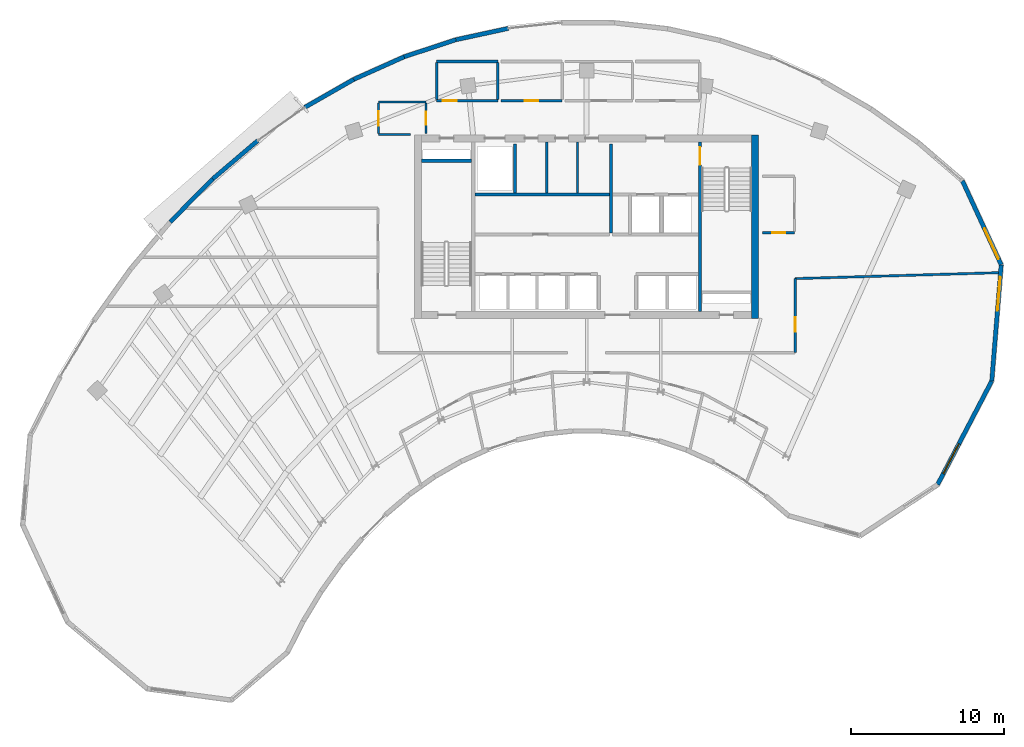
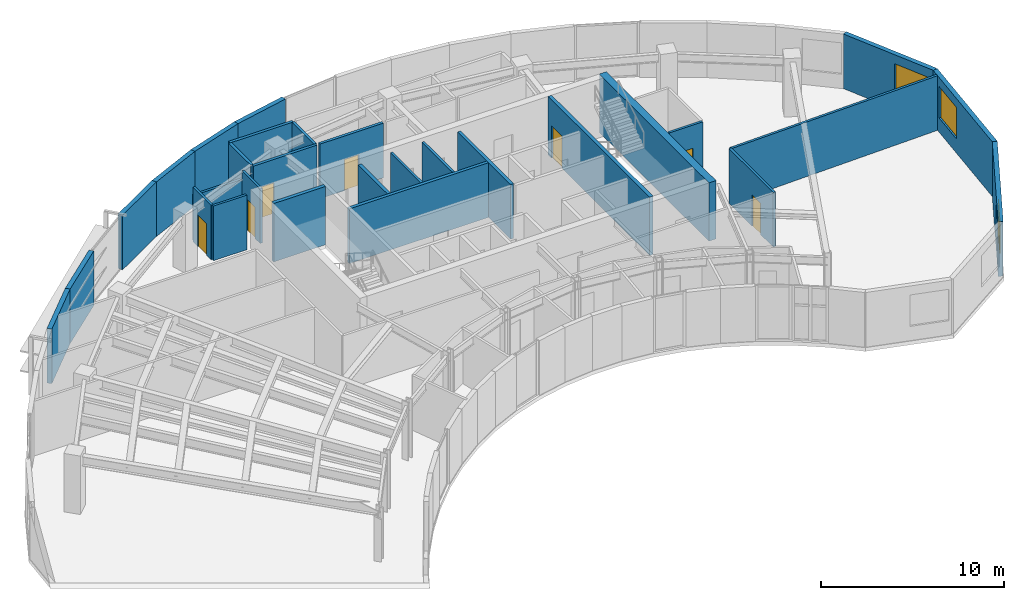
# One storey, part 9 of 12: 29 walls, 7 doors, 3 windows, 10 openings.
"""IFC4 building model written with IfcOpenShell, lengths in metres."""

from ifc_helpers import new_model, si_unit, direction, frame, frame_2d, origin, place, context, subcontext, project, spatial, rectangle, extrude, source, transform, mapped, material, layer, layer_set, type_object, type_shapes, element, fill, save


model = new_model("IFC4")

# Units and contexts
model_context = context("Model", 3, precision=1e-05, world=origin(), true_north=direction((0.0, 1.0)))
body_context = subcontext(model_context, "Body", "Model", "MODEL_VIEW")
ifc_project = project(units=[si_unit("LENGTHUNIT", "METRE"), si_unit("AREAUNIT", "SQUARE_METRE"), si_unit("VOLUMEUNIT", "CUBIC_METRE"), si_unit("PLANEANGLEUNIT", "RADIAN"), si_unit("MASSUNIT", "GRAM", prefix="KILO")], contexts=[model_context])

# Site, building, storey
site_placement = place(None, origin())
site = spatial("IfcSite", under=ifc_project, at=site_placement, CompositionType="ELEMENT")
building_placement = place(site_placement, origin())
building = spatial("IfcBuilding", under=site, at=building_placement, Name="Breltana Convention Tower", CompositionType="ELEMENT")
storey_placement = place(building_placement, frame((0.0, 0.0, 243.0)))
storey = spatial("IfcBuildingStorey", under=building, at=storey_placement, Name="L59", CompositionType="ELEMENT", Elevation=243.0)

# Walls
ifc_material_1 = material(Name="Concrete C50/60", Category="concrete")
ifc_layer_1 = layer(ifc_material_1, 0.39990234375, Name="Concrete C50/60")
ifc_layer_set_1 = layer_set([ifc_layer_1], Name="Concrete C50/60")
wall_type_1 = type_object("IfcWallType", Name="SW-CORE-400", PredefinedType="SHEAR", material=ifc_layer_set_1)
shared_shape_1 = source(origin(), body_context, "Body", "SweptSolid", [
    extrude(rectangle(XDim=3.27001953125, YDim=0.219970703125, at=frame_2d((1.635009765625, 0.0))), origin(), (0.0, 0.0, 1.0), 3.89990234375),
])
wall_1_placement = place(storey_placement, frame((37.199951171875, 70.510009765625, 0.0), z_axis=(0.0, 0.0, 1.0), x_axis=(1.0, 0.0, 0.0)))
element("IfcWall", 1, at=wall_1_placement, inside=storey, type_object=wall_type_1, Name="L59 ST-1 Stairwell North Bearing Wall", PredefinedType="SHEAR", context=body_context, shape_type="MappedRepresentation", body=[
    mapped(shared_shape_1, transform((0.0, 0.0, 0.0), scale=1.0)),
])
ifc_material_2 = material(Name="Concrete C60/75", Category="concrete")
ifc_layer_2 = layer(ifc_material_2, 0.449951171875, Name="Concrete C60/75")
ifc_layer_set_2 = layer_set([ifc_layer_2], Name="Concrete C60/75")
wall_type_2 = type_object("IfcWallType", Name="SW-CORE-450", PredefinedType="SHEAR", material=ifc_layer_set_2)
shared_shape_2 = source(origin(), body_context, "Body", "SweptSolid", [
    extrude(rectangle(XDim=12.0, YDim=0.449951171875, at=frame_2d((6.0, 0.0))), origin(), (0.0, 0.0, 1.0), 3.89990234375),
])
wall_2_placement = place(storey_placement, frame((59.02490234375, 60.199951171875, 0.0), z_axis=(0.0, 0.0, 1.0), x_axis=(0.0, 1.0, 0.0)))
element("IfcWall", 2, at=wall_2_placement, inside=storey, type_object=wall_type_2, Name="L59 East Core Shear Wall", PredefinedType="SHEAR", context=body_context, shape_type="MappedRepresentation", body=[
    mapped(shared_shape_2, transform((0.0, 0.0, 0.0), scale=1.0)),
])

# Wall, opening, door
shared_shape_3 = source(origin(), body_context, "Body", "SweptSolid", [
    extrude(rectangle(XDim=11.10009765625, YDim=0.219970703125, at=frame_2d((5.550048828125, 0.0))), origin(), (0.0, 0.0, 1.0), 3.89990234375),
])
wall_3_placement = place(storey_placement, frame((55.419921875, 60.64990234375, 0.0), z_axis=(0.0, 0.0, 1.0), x_axis=(0.0, 1.0, 0.0)))
wall_3 = element("IfcWall", 3, at=wall_3_placement, inside=storey, type_object=wall_type_1, Name="L59 Core East Stair Spine Wall", PredefinedType="SHEAR", context=body_context, shape_type="MappedRepresentation", body=[
    mapped(shared_shape_3, transform((0.0, 0.0, 0.0), scale=1.0)),
])
opening_1_placement = place(wall_3_placement, frame((9.594970703125, 0.0, 0.0)))
opening_1 = element("IfcOpeningElement", 4, at=opening_1_placement, cuts=wall_3, Name="Opening D-11", PredefinedType="OPENING", context=body_context, shape_type="SweptSolid", body=[
    extrude(rectangle(XDim=1.14990234375, YDim=2.14990234375, at=frame_2d((0.574951171875, 1.074951171875))), frame((0.0, 0.1201171875, 0.0), z_axis=(0.0, -1.0, 0.0), x_axis=(1.0, 0.0, 0.0)), (0.0, 0.0, 1.0), 0.239990234375),
])
ifc_material_3 = material(Name="Steel Stair Exit Door", Category="steel")
door_type_1 = type_object("IfcDoorType", Name="DR-FD120-1150", OperationType="NOTDEFINED", PredefinedType="DOOR", material=ifc_material_3)
shared_shape_4 = source(origin(), body_context, "Body", "SweptSolid", [
    extrude(rectangle(XDim=1.14990234375, YDim=2.14990234375, at=frame_2d((0.574951171875, 1.074951171875))), frame((0.0, 0.02490234375, 0.0), z_axis=(0.0, -1.0, 0.0), x_axis=(1.0, 0.0, 0.0)), (0.0, 0.0, 1.0), 0.050048828125),
])
type_shapes(door_type_1, [shared_shape_4])
door_1_placement = place(opening_1_placement, origin())
door_1 = element("IfcDoor", 5, at=door_1_placement, inside=storey, type_object=door_type_1, Name="L59 interior door D-L59-ST2", OperationType="SINGLE_SWING_LEFT", OverallHeight=2.14990234375, OverallWidth=1.14990234375, PredefinedType="DOOR", context=body_context, shape_type="MappedRepresentation", body=[
    mapped(shared_shape_4, transform((0.0, 0.0, 0.0), scale=1.0)),
])
fill(opening_1, door_1)

# Wall, opening, window
ifc_material_4 = material(Name="Limestone Buff Insulated Wall", Category="masonry")
ifc_layer_3 = layer(ifc_material_4, 0.280029296875, Name="Limestone Buff Insulated Wall")
ifc_layer_set_3 = layer_set([ifc_layer_3], Name="Limestone Buff Insulated Wall")
wall_type_3 = type_object("IfcWallType", Name="WL-EXT-NOSE-280", PredefinedType="SOLIDWALL", material=ifc_layer_set_3)
shared_shape_5 = source(origin(), body_context, "Body", "SweptSolid", [
    extrude(rectangle(XDim=6.049560546875, YDim=0.280029296875, at=frame_2d((3.02490234375, 0.0))), origin(), (0.0, 0.0, 1.0), 3.64990234375),
])
wall_4_placement = place(storey_placement, frame((72.57421875, 69.1982421875, 0.0), z_axis=(0.0, 0.0, 1.0), x_axis=(0.41942922905, -0.907788037935, 0.0)))
wall_4 = element("IfcWall", 6, at=wall_4_placement, inside=storey, type_object=wall_type_3, Name="L59 curved limestone nose wall E1", PredefinedType="SOLIDWALL", context=body_context, shape_type="MappedRepresentation", body=[
    mapped(shared_shape_5, transform((0.0, 0.0, 0.0), scale=1.0)),
])
opening_2_placement = place(wall_4_placement, frame((3.437255859375, 0.0, 0.949951171875)))
opening_2 = element("IfcOpeningElement", 7, at=opening_2_placement, cuts=wall_4, Name="Opening W-03", PredefinedType="OPENING", context=body_context, shape_type="SweptSolid", body=[
    extrude(rectangle(XDim=2.199951171875, YDim=2.10009765625, at=frame_2d((1.10009765625, 1.050048828125))), frame((0.0, 0.14990234375, 0.0), z_axis=(0.0, -1.0, 0.0), x_axis=(1.0, 0.0, 0.0)), (0.0, 0.0, 1.0), 0.300048828125),
])
ifc_material_5 = material(Name="Glass Low-E Insulated Window", Category="glass")
window_type = type_object("IfcWindowType", Name="WN-NOSE-2200X2100", PartitioningType="TRIPLE_PANEL_VERTICAL", PredefinedType="WINDOW", material=ifc_material_5)
shared_shape_6 = source(origin(), body_context, "Body", "SweptSolid", [
    extrude(rectangle(XDim=2.199951171875, YDim=2.10009765625, at=frame_2d((1.10009765625, 1.050048828125))), frame((0.0, 0.030029296875, 0.0), z_axis=(0.0, -1.0, 0.0), x_axis=(1.0, 0.0, 0.0)), (0.0, 0.0, 1.0), 0.06005859375),
])
type_shapes(window_type, [shared_shape_6])
window_1_placement = place(opening_2_placement, origin())
window_1 = element("IfcWindow", 8, at=window_1_placement, inside=storey, type_object=window_type, Name="L59 nose window E1", OverallHeight=2.10009765625, OverallWidth=2.199951171875, PartitioningType="TRIPLE_PANEL_VERTICAL", PredefinedType="WINDOW", context=body_context, shape_type="MappedRepresentation", body=[
    mapped(shared_shape_6, transform((0.0, 0.0, 0.0), scale=1.0)),
])
fill(opening_2, window_1)

shared_shape_7 = source(origin(), body_context, "Body", "SweptSolid", [
    extrude(rectangle(XDim=7.618408203125, YDim=0.280029296875, at=frame_2d((3.80908203125, 0.0))), origin(), (0.0, 0.0, 1.0), 3.64990234375),
])
wall_5_placement = place(storey_placement, frame((75.111572265625, 63.70654296875, 0.0), z_axis=(0.0, 0.0, 1.0), x_axis=(-0.080820171031, -0.996728699273, 0.0)))
wall_5 = element("IfcWall", 9, at=wall_5_placement, inside=storey, type_object=wall_type_3, Name="L59 curved limestone nose wall E2", PredefinedType="SOLIDWALL", context=body_context, shape_type="MappedRepresentation", body=[
    mapped(shared_shape_7, transform((0.0, 0.0, 0.0), scale=1.0)),
])
opening_3_placement = place(wall_5_placement, frame((0.8046875, 0.0, 0.949951171875)))
opening_3 = element("IfcOpeningElement", 10, at=opening_3_placement, cuts=wall_5, Name="Opening W-03", PredefinedType="OPENING", context=body_context, shape_type="SweptSolid", body=[
    extrude(rectangle(XDim=2.199951171875, YDim=2.10009765625, at=frame_2d((1.10009765625, 1.050048828125))), frame((0.0, 0.14990234375, 0.0), z_axis=(0.0, -1.0, 0.0), x_axis=(1.0, 0.0, 0.0)), (0.0, 0.0, 1.0), 0.300048828125),
])
window_2_placement = place(opening_3_placement, origin())
window_2 = element("IfcWindow", 11, at=window_2_placement, inside=storey, type_object=window_type, Name="L59 nose window E2", OverallHeight=2.10009765625, OverallWidth=2.199951171875, PartitioningType="TRIPLE_PANEL_VERTICAL", PredefinedType="WINDOW", context=body_context, shape_type="MappedRepresentation", body=[
    mapped(shared_shape_6, transform((0.0, 0.0, 0.0), scale=1.0)),
])
fill(opening_3, window_2)

shared_shape_8 = source(origin(), body_context, "Body", "SweptSolid", [
    extrude(rectangle(XDim=7.647705078125, YDim=0.280029296875, at=frame_2d((3.82373046875, 0.0))), origin(), (0.0, 0.0, 1.0), 3.64990234375),
])
wall_6_placement = place(storey_placement, frame((74.495849609375, 56.113037109375, 0.0), z_axis=(0.0, 0.0, 1.0), x_axis=(-0.463116873665, -0.886297219519, 0.0)))
wall_6 = element("IfcWall", 12, at=wall_6_placement, inside=storey, type_object=wall_type_3, Name="L59 curved limestone nose wall E3", PredefinedType="SOLIDWALL", context=body_context, shape_type="MappedRepresentation", body=[
    mapped(shared_shape_8, transform((0.0, 0.0, 0.0), scale=1.0)),
])
opening_4_placement = place(wall_6_placement, frame((4.6357421875, 0.0, 0.949951171875)))
opening_4 = element("IfcOpeningElement", 13, at=opening_4_placement, cuts=wall_6, Name="Opening W-03", PredefinedType="OPENING", context=body_context, shape_type="SweptSolid", body=[
    extrude(rectangle(XDim=2.199951171875, YDim=2.10009765625, at=frame_2d((1.10009765625, 1.050048828125))), frame((0.0, 0.14990234375, 0.0), z_axis=(0.0, -1.0, 0.0), x_axis=(1.0, 0.0, 0.0)), (0.0, 0.0, 1.0), 0.300048828125),
])
window_3_placement = place(opening_4_placement, origin())
window_3 = element("IfcWindow", 14, at=window_3_placement, inside=storey, type_object=window_type, Name="L59 nose window E3", OverallHeight=2.10009765625, OverallWidth=2.199951171875, PartitioningType="TRIPLE_PANEL_VERTICAL", PredefinedType="WINDOW", context=body_context, shape_type="MappedRepresentation", body=[
    mapped(shared_shape_6, transform((0.0, 0.0, 0.0), scale=1.0)),
])
fill(opening_4, window_3)

# Walls
shared_shape_9 = source(origin(), body_context, "Body", "SweptSolid", [
    extrude(rectangle(XDim=3.955078125, YDim=0.280029296875, at=frame_2d((1.9775390625, 0.0))), origin(), (0.0, 0.0, 1.0), 3.64990234375),
])
wall_7_placement = place(storey_placement, frame((20.7763671875, 66.50732421875, 0.0), z_axis=(0.0, 0.0, 1.0), x_axis=(0.702710517474, 0.711475880569, 0.0)))
element("IfcWall", 15, at=wall_7_placement, inside=storey, type_object=wall_type_3, Name="L59 curved limestone nose wall E22", PredefinedType="SOLIDWALL", context=body_context, shape_type="MappedRepresentation", body=[
    mapped(shared_shape_9, transform((0.0, 0.0, 0.0), scale=1.0)),
])
shared_shape_10 = source(origin(), body_context, "Body", "SweptSolid", [
    extrude(rectangle(XDim=3.8603515625, YDim=0.280029296875, at=frame_2d((1.93017578125, 0.0))), origin(), (0.0, 0.0, 1.0), 3.64990234375),
])
wall_8_placement = place(storey_placement, frame((23.5556640625, 69.3212890625, 0.0), z_axis=(0.0, 0.0, 1.0), x_axis=(0.761497547739, 0.648167790613, 0.0)))
element("IfcWall", 16, at=wall_8_placement, inside=storey, type_object=wall_type_3, Name="L59 curved limestone nose wall E23", PredefinedType="SOLIDWALL", context=body_context, shape_type="MappedRepresentation", body=[
    mapped(shared_shape_10, transform((0.0, 0.0, 0.0), scale=1.0)),
])
shared_shape_11 = source(origin(), body_context, "Body", "SweptSolid", [
    extrude(rectangle(XDim=3.68798828125, YDim=0.280029296875, at=frame_2d((1.843994140625, 0.0))), origin(), (0.0, 0.0, 1.0), 3.64990234375),
])
wall_9_placement = place(storey_placement, frame((29.57568359375, 73.99755859375, 0.0), z_axis=(0.0, 0.0, 1.0), x_axis=(0.867929289274, 0.496687778005, 0.0)))
element("IfcWall", 17, at=wall_9_placement, inside=storey, type_object=wall_type_3, Name="L59 curved limestone nose wall E24", PredefinedType="SOLIDWALL", context=body_context, shape_type="MappedRepresentation", body=[
    mapped(shared_shape_11, transform((0.0, 0.0, 0.0), scale=1.0)),
])
shared_shape_12 = source(origin(), body_context, "Body", "SweptSolid", [
    extrude(rectangle(XDim=3.556884765625, YDim=0.280029296875, at=frame_2d((1.7783203125, 0.0))), origin(), (0.0, 0.0, 1.0), 3.64990234375),
])
wall_10_placement = place(storey_placement, frame((36.07666015625, 77.306640625, 0.0), z_axis=(0.0, 0.0, 1.0), x_axis=(0.949687460385, 0.31319918197, 0.0)))
element("IfcWall", 18, at=wall_10_placement, inside=storey, type_object=wall_type_3, Name="L59 curved limestone nose wall E26", PredefinedType="SOLIDWALL", context=body_context, shape_type="MappedRepresentation", body=[
    mapped(shared_shape_12, transform((0.0, 0.0, 0.0), scale=1.0)),
])
shared_shape_13 = source(origin(), body_context, "Body", "SweptSolid", [
    extrude(rectangle(XDim=3.512939453125, YDim=0.280029296875, at=frame_2d((1.75634765625, 0.0))), origin(), (0.0, 0.0, 1.0), 3.64990234375),
])
wall_11_placement = place(storey_placement, frame((39.45458984375, 78.420654296875, 0.0), z_axis=(0.0, 0.0, 1.0), x_axis=(0.977366029072, 0.211555300611, 0.0)))
element("IfcWall", 19, at=wall_11_placement, inside=storey, type_object=wall_type_3, Name="L59 curved limestone nose wall E27", PredefinedType="SOLIDWALL", context=body_context, shape_type="MappedRepresentation", body=[
    mapped(shared_shape_13, transform((0.0, 0.0, 0.0), scale=1.0)),
])
shared_shape_14 = source(origin(), body_context, "Body", "SweptSolid", [
    extrude(rectangle(XDim=3.61572265625, YDim=0.280029296875, at=frame_2d((1.807861328125, 0.0))), origin(), (0.0, 0.0, 1.0), 3.64990234375),
])
wall_12_placement = place(storey_placement, frame((32.776611328125, 75.829345703125, 0.0), z_axis=(0.0, 0.0, 1.0), x_axis=(0.912719530576, 0.408586659726, 0.0)))
element("IfcWall", 20, at=wall_12_placement, inside=storey, type_object=wall_type_3, Name="L59 curved limestone nose wall E25", PredefinedType="SOLIDWALL", context=body_context, shape_type="MappedRepresentation", body=[
    mapped(shared_shape_14, transform((0.0, 0.0, 0.0), scale=1.0)),
])
ifc_material_6 = material(Name="Autoclaved Aerated Concrete Block", Category="concrete")
ifc_layer_4 = layer(ifc_material_6, 0.199951171875, Name="Autoclaved Aerated Concrete Block")
ifc_layer_set_4 = layer_set([ifc_layer_4], Name="Autoclaved Aerated Concrete Block")
wall_type_4 = type_object("IfcWallType", Name="WL-SHAFT-200", PredefinedType="SOLIDWALL", material=ifc_layer_set_4)
shared_shape_15 = source(origin(), body_context, "Body", "SweptSolid", [
    extrude(rectangle(XDim=5.800048828125, YDim=0.199951171875, at=frame_2d((2.89990234375, 0.0))), origin(), (0.0, 0.0, 1.0), 3.64990234375),
])
wall_13_placement = place(storey_placement, frame((49.60009765625, 65.800048828125, 0.0), z_axis=(0.0, 0.0, 1.0), x_axis=(0.0, 1.0, 0.0)))
element("IfcWall", 21, at=wall_13_placement, inside=storey, type_object=wall_type_4, Name="L59 interior partition W-L59-FFL-W", PredefinedType="SOLIDWALL", context=body_context, shape_type="MappedRepresentation", body=[
    mapped(shared_shape_15, transform((0.0, 0.0, 0.0), scale=1.0)),
])
shared_shape_16 = source(origin(), body_context, "Body", "SweptSolid", [
    extrude(rectangle(XDim=3.2001953125, YDim=0.199951171875, at=frame_2d((1.60009765625, 0.0))), origin(), (0.0, 0.0, 1.0), 3.64990234375),
])
wall_14_placement = place(storey_placement, frame((43.320068359375, 68.39990234375, 0.0), z_axis=(0.0, 0.0, 1.0), x_axis=(0.0, 1.0, 0.0)))
element("IfcWall", 22, at=wall_14_placement, inside=storey, type_object=wall_type_4, Name="L59 interior partition W-L59-SV-E", PredefinedType="SOLIDWALL", context=body_context, shape_type="MappedRepresentation", body=[
    mapped(shared_shape_16, transform((0.0, 0.0, 0.0), scale=1.0)),
])
shared_shape_17 = source(origin(), body_context, "Body", "SweptSolid", [
    extrude(rectangle(XDim=8.800048828125, YDim=0.199951171875, at=frame_2d((4.39990234375, 0.0))), origin(), (0.0, 0.0, 1.0), 3.64990234375),
])
wall_15_placement = place(storey_placement, frame((40.699951171875, 68.300048828125, 0.0), z_axis=(0.0, 0.0, 1.0), x_axis=(1.0, 0.0, 0.0)))
element("IfcWall", 23, at=wall_15_placement, inside=storey, type_object=wall_type_4, Name="L59 interior partition W-L59-SV-S", PredefinedType="SOLIDWALL", context=body_context, shape_type="MappedRepresentation", body=[
    mapped(shared_shape_17, transform((0.0, 0.0, 0.0), scale=1.0)),
])
ifc_material_7 = material(Name="Gypsum Acoustic Drywall Partition")
ifc_layer_5 = layer(ifc_material_7, 0.14990234375, Name="Gypsum Acoustic Drywall Partition")
ifc_layer_set_5 = layer_set([ifc_layer_5], Name="Gypsum Acoustic Drywall Partition")
wall_type_5 = type_object("IfcWallType", Name="WL-PART-150", PredefinedType="PARTITIONING", material=ifc_layer_set_5)
shared_shape_18 = source(origin(), body_context, "Body", "SweptSolid", [
    extrude(rectangle(XDim=2.10009765625, YDim=0.14990234375, at=frame_2d((1.050048828125, 0.0))), origin(), (0.0, 0.0, 1.0), 3.64990234375),
])
wall_16_placement = place(storey_placement, frame((34.39990234375, 72.219970703125, 0.0), z_axis=(0.0, 0.0, 1.0), x_axis=(1.0, 0.0, 0.0)))
element("IfcWall", 24, at=wall_16_placement, inside=storey, type_object=wall_type_5, Name="L59 interior partition W-L59-CRNE-S", PredefinedType="PARTITIONING", context=body_context, shape_type="MappedRepresentation", body=[
    mapped(shared_shape_18, transform((0.0, 0.0, 0.0), scale=1.0)),
])

# Wall, opening, door
wall_17_placement = place(storey_placement, frame((59.5, 65.800048828125, 0.0), z_axis=(0.0, 0.0, 1.0), x_axis=(1.0, 0.0, 0.0)))
wall_17 = element("IfcWall", 25, at=wall_17_placement, inside=storey, type_object=wall_type_5, Name="L59 interior partition W-L59-CRSE-S", PredefinedType="PARTITIONING", context=body_context, shape_type="MappedRepresentation", body=[
    mapped(shared_shape_18, transform((0.0, 0.0, 0.0), scale=1.0)),
])
opening_5_placement = place(wall_17_placement, frame((0.625, 0.0, 0.0)))
opening_5 = element("IfcOpeningElement", 26, at=opening_5_placement, cuts=wall_17, Name="Opening D-20", PredefinedType="OPENING", context=body_context, shape_type="SweptSolid", body=[
    extrude(rectangle(XDim=0.85009765625, YDim=2.10009765625, at=frame_2d((0.425048828125, 1.050048828125))), frame((0.0, 0.0849609375, 0.0), z_axis=(0.0, -1.0, 0.0), x_axis=(1.0, 0.0, 0.0)), (0.0, 0.0, 1.0), 0.169921875),
])
ifc_material_8 = material(Name="Steel Closet Fire Door", Category="steel")
door_type_2 = type_object("IfcDoorType", Name="DR-FD60-850", OperationType="NOTDEFINED", PredefinedType="DOOR", material=ifc_material_8)
shared_shape_19 = source(origin(), body_context, "Body", "SweptSolid", [
    extrude(rectangle(XDim=0.85009765625, YDim=2.10009765625, at=frame_2d((0.425048828125, 1.050048828125))), frame((0.0, 0.02490234375, 0.0), z_axis=(0.0, -1.0, 0.0), x_axis=(1.0, 0.0, 0.0)), (0.0, 0.0, 1.0), 0.050048828125),
])
type_shapes(door_type_2, [shared_shape_19])
door_2_placement = place(opening_5_placement, origin())
door_2 = element("IfcDoor", 27, at=door_2_placement, inside=storey, type_object=door_type_2, Name="L59 interior door D-L59-CRSE", OperationType="SINGLE_SWING_RIGHT", OverallHeight=2.10009765625, OverallWidth=0.85009765625, PredefinedType="DOOR", context=body_context, shape_type="MappedRepresentation", body=[
    mapped(shared_shape_19, transform((0.0, 0.0, 0.0), scale=1.0)),
])
fill(opening_5, door_2)

shared_shape_20 = source(origin(), body_context, "Body", "SweptSolid", [
    extrude(rectangle(XDim=1.994873046875, YDim=0.14990234375, at=frame_2d((0.99755859375, 0.0))), origin(), (0.0, 0.0, 1.0), 3.64990234375),
])
wall_18_placement = place(storey_placement, frame((34.39990234375, 72.28759765625, 0.0), z_axis=(0.0, 0.0, 1.0), x_axis=(0.0, 1.0, 0.0)))
wall_18 = element("IfcWall", 28, at=wall_18_placement, inside=storey, type_object=wall_type_5, Name="L59 interior partition W-L59-CRNE-W", PredefinedType="PARTITIONING", context=body_context, shape_type="MappedRepresentation", body=[
    mapped(shared_shape_20, transform((0.0, 0.0, 0.0), scale=1.0)),
])
opening_6_placement = place(wall_18_placement, frame((0.5224609375, 0.0, 0.0)))
opening_6 = element("IfcOpeningElement", 29, at=opening_6_placement, cuts=wall_18, Name="Opening D-17", PredefinedType="OPENING", context=body_context, shape_type="SweptSolid", body=[
    extrude(rectangle(XDim=0.949951171875, YDim=2.10009765625, at=frame_2d((0.47509765625, 1.050048828125))), frame((0.0, 0.0849609375, 0.0), z_axis=(0.0, -1.0, 0.0), x_axis=(1.0, 0.0, 0.0)), (0.0, 0.0, 1.0), 0.169921875),
])
ifc_material_9 = material(Name="Timber Oak Veneer Door", Category="wood")
door_type_3 = type_object("IfcDoorType", Name="DR-INT-950", OperationType="NOTDEFINED", PredefinedType="DOOR", material=ifc_material_9)
shared_shape_21 = source(origin(), body_context, "Body", "SweptSolid", [
    extrude(rectangle(XDim=0.949951171875, YDim=2.10009765625, at=frame_2d((0.47509765625, 1.050048828125))), frame((0.0, 0.02490234375, 0.0), z_axis=(0.0, -1.0, 0.0), x_axis=(1.0, 0.0, 0.0)), (0.0, 0.0, 1.0), 0.050048828125),
])
type_shapes(door_type_3, [shared_shape_21])
door_3_placement = place(opening_6_placement, origin())
door_3 = element("IfcDoor", 30, at=door_3_placement, inside=storey, type_object=door_type_3, Name="L59 interior door D-L59-EXW4", OperationType="SINGLE_SWING_LEFT", OverallHeight=2.10009765625, OverallWidth=0.949951171875, PredefinedType="DOOR", context=body_context, shape_type="MappedRepresentation", body=[
    mapped(shared_shape_21, transform((0.0, 0.0, 0.0), scale=1.0)),
])
fill(opening_6, door_3)

shared_shape_22 = source(origin(), body_context, "Body", "SweptSolid", [
    extrude(rectangle(XDim=1.982421875, YDim=0.14990234375, at=frame_2d((0.9912109375, 0.0))), origin(), (0.0, 0.0, 1.0), 3.64990234375),
])
wall_19_placement = place(storey_placement, frame((37.5, 72.300048828125, 0.0), z_axis=(0.0, 0.0, 1.0), x_axis=(0.0, 1.0, 0.0)))
wall_19 = element("IfcWall", 31, at=wall_19_placement, inside=storey, type_object=wall_type_5, Name="L59 interior partition W-L59-CRNE-E", PredefinedType="PARTITIONING", context=body_context, shape_type="MappedRepresentation", body=[
    mapped(shared_shape_22, transform((0.0, 0.0, 0.0), scale=1.0)),
])
opening_7_placement = place(wall_19_placement, frame((0.56640625, 0.0, 0.0)))
opening_7 = element("IfcOpeningElement", 32, at=opening_7_placement, cuts=wall_19, Name="Opening D-20", PredefinedType="OPENING", context=body_context, shape_type="SweptSolid", body=[
    extrude(rectangle(XDim=0.85009765625, YDim=2.10009765625, at=frame_2d((0.425048828125, 1.050048828125))), frame((0.0, 0.0849609375, 0.0), z_axis=(0.0, -1.0, 0.0), x_axis=(1.0, 0.0, 0.0)), (0.0, 0.0, 1.0), 0.169921875),
])
door_4_placement = place(opening_7_placement, origin())
door_4 = element("IfcDoor", 33, at=door_4_placement, inside=storey, type_object=door_type_2, Name="L59 interior door D-L59-CRNE", OperationType="SINGLE_SWING_LEFT", OverallHeight=2.10009765625, OverallWidth=0.85009765625, PredefinedType="DOOR", context=body_context, shape_type="MappedRepresentation", body=[
    mapped(shared_shape_19, transform((0.0, 0.0, 0.0), scale=1.0)),
])
fill(opening_7, door_4)

# Walls
shared_shape_23 = source(origin(), body_context, "Body", "SweptSolid", [
    extrude(rectangle(XDim=3.330078125, YDim=0.14990234375, at=frame_2d((1.6650390625, 0.0))), origin(), (0.0, 0.0, 1.0), 3.64990234375),
])
for number, where, z_axis, x_axis, name in (
    (34, (45.39990234375, 68.39990234375, 0.0), (0.0, 0.0, 1.0), (0.0, 1.0, 0.0), "L59 interior partition W-L59-KV-1"),
    (35, (47.39990234375, 68.39990234375, 0.0), (0.0, 0.0, 1.0), (0.0, 1.0, 0.0), "L59 interior partition W-L59-KV-2"),
):
    element("IfcWall", number, at=place(storey_placement, frame(where, z_axis=z_axis, x_axis=x_axis)), inside=storey, type_object=wall_type_5, Name=name, PredefinedType="PARTITIONING", context=body_context, shape_type="MappedRepresentation", body=[
        mapped(shared_shape_23, transform((0.0, 0.0, 0.0), scale=1.0)),
    ])

# Wall, opening, door
ifc_material_10 = material(Name="Cement Board Wet-Area Partition")
ifc_layer_6 = layer(ifc_material_10, 0.175048828125, Name="Cement Board Wet-Area Partition")
ifc_layer_set_6 = layer_set([ifc_layer_6], Name="Cement Board Wet-Area Partition")
wall_type_6 = type_object("IfcWallType", Name="WL-WET-175", PredefinedType="PARTITIONING", material=ifc_layer_set_6)
shared_shape_24 = source(origin(), body_context, "Body", "SweptSolid", [
    extrude(rectangle(XDim=4.0, YDim=0.175048828125, at=frame_2d((2.0, 0.0))), origin(), (0.0, 0.0, 1.0), 3.64990234375),
])
wall_20_placement = place(storey_placement, frame((38.199951171875, 74.43994140625, 0.0), z_axis=(0.0, 0.0, 1.0), x_axis=(1.0, 0.0, 0.0)))
wall_20 = element("IfcWall", 36, at=wall_20_placement, inside=storey, type_object=wall_type_6, Name="L59 interior partition W-L59-WCM-S", PredefinedType="PARTITIONING", context=body_context, shape_type="MappedRepresentation", body=[
    mapped(shared_shape_24, transform((0.0, 0.0, 0.0), scale=1.0)),
])
opening_8_placement = place(wall_20_placement, frame((0.39990234375, 0.0, 0.0)))
opening_8 = element("IfcOpeningElement", 37, at=opening_8_placement, cuts=wall_20, Name="Opening D-19", PredefinedType="OPENING", context=body_context, shape_type="SweptSolid", body=[
    extrude(rectangle(XDim=0.89990234375, YDim=2.080078125, at=frame_2d((0.449951171875, 1.0400390625))), frame((0.0, 0.09765625, 0.0), z_axis=(0.0, -1.0, 0.0), x_axis=(1.0, 0.0, 0.0)), (0.0, 0.0, 1.0), 0.195068359375),
])
ifc_material_11 = material(Name="Timber Moisture-Resistant Door", Category="wood")
door_type_4 = type_object("IfcDoorType", Name="DR-WC-900", OperationType="NOTDEFINED", PredefinedType="DOOR", material=ifc_material_11)
shared_shape_25 = source(origin(), body_context, "Body", "SweptSolid", [
    extrude(rectangle(XDim=0.89990234375, YDim=2.080078125, at=frame_2d((0.449951171875, 1.0400390625))), frame((0.0, 0.02490234375, 0.0), z_axis=(0.0, -1.0, 0.0), x_axis=(1.0, 0.0, 0.0)), (0.0, 0.0, 1.0), 0.050048828125),
])
type_shapes(door_type_4, [shared_shape_25])
door_5_placement = place(opening_8_placement, origin())
door_5 = element("IfcDoor", 38, at=door_5_placement, inside=storey, type_object=door_type_4, Name="L59 interior door D-L59-WCM", OperationType="SINGLE_SWING_LEFT", OverallHeight=2.080078125, OverallWidth=0.89990234375, PredefinedType="DOOR", context=body_context, shape_type="MappedRepresentation", body=[
    mapped(shared_shape_25, transform((0.0, 0.0, 0.0), scale=1.0)),
])
fill(opening_8, door_5)

wall_21_placement = place(storey_placement, frame((42.39990234375, 74.43994140625, 0.0), z_axis=(0.0, 0.0, 1.0), x_axis=(1.0, 0.0, 0.0)))
wall_21 = element("IfcWall", 39, at=wall_21_placement, inside=storey, type_object=wall_type_6, Name="L59 interior partition W-L59-WCF-S", PredefinedType="PARTITIONING", context=body_context, shape_type="MappedRepresentation", body=[
    mapped(shared_shape_24, transform((0.0, 0.0, 0.0), scale=1.0)),
])
opening_9_placement = place(wall_21_placement, frame((1.550048828125, 0.0, 0.0)))
opening_9 = element("IfcOpeningElement", 40, at=opening_9_placement, cuts=wall_21, Name="Opening D-19", PredefinedType="OPENING", context=body_context, shape_type="SweptSolid", body=[
    extrude(rectangle(XDim=0.89990234375, YDim=2.080078125, at=frame_2d((0.449951171875, 1.0400390625))), frame((0.0, 0.09765625, 0.0), z_axis=(0.0, -1.0, 0.0), x_axis=(1.0, 0.0, 0.0)), (0.0, 0.0, 1.0), 0.195068359375),
])
door_6_placement = place(opening_9_placement, origin())
door_6 = element("IfcDoor", 41, at=door_6_placement, inside=storey, type_object=door_type_4, Name="L59 interior door D-L59-WCF", OperationType="SINGLE_SWING_RIGHT", OverallHeight=2.080078125, OverallWidth=0.89990234375, PredefinedType="DOOR", context=body_context, shape_type="MappedRepresentation", body=[
    mapped(shared_shape_25, transform((0.0, 0.0, 0.0), scale=1.0)),
])
fill(opening_9, door_6)

# Walls
ifc_material_12 = material(Name="Moisture-Resistant Gypsum Chase Wall")
ifc_layer_7 = layer(ifc_material_12, 0.179931640625, Name="Moisture-Resistant Gypsum Chase Wall")
ifc_layer_set_7 = layer_set([ifc_layer_7], Name="Moisture-Resistant Gypsum Chase Wall")
wall_type_7 = type_object("IfcWallType", Name="WL-PLUMB-180", PredefinedType="PLUMBINGWALL", material=ifc_layer_set_7)
shared_shape_26 = source(origin(), body_context, "Body", "SweptSolid", [
    extrude(rectangle(XDim=4.0, YDim=0.179931640625, at=frame_2d((2.0, 0.0))), origin(), (0.0, 0.0, 1.0), 3.64990234375),
])
wall_22_placement = place(storey_placement, frame((38.199951171875, 77.0, 0.0), z_axis=(0.0, 0.0, 1.0), x_axis=(1.0, 0.0, 0.0)))
element("IfcWall", 42, at=wall_22_placement, inside=storey, type_object=wall_type_7, Name="L59 interior partition W-L59-WCM-N", PredefinedType="PLUMBINGWALL", context=body_context, shape_type="MappedRepresentation", body=[
    mapped(shared_shape_26, transform((0.0, 0.0, 0.0), scale=1.0)),
])
shared_shape_27 = source(origin(), body_context, "Body", "SweptSolid", [
    extrude(rectangle(XDim=2.402587890625, YDim=0.175048828125, at=frame_2d((1.201171875, 0.0))), origin(), (0.0, 0.0, 1.0), 3.64990234375),
])
for number, where, z_axis, x_axis, name in (
    (43, (38.199951171875, 74.518798828125, 0.0), (0.0, 0.0, 1.0), (0.0, 1.0, 0.0), "L59 interior partition W-L59-WCM-W"),
    (44, (42.199951171875, 74.518798828125, 0.0), (0.0, 0.0, 1.0), (0.0, 1.0, 0.0), "L59 interior partition W-L59-WCM-E"),
):
    element("IfcWall", number, at=place(storey_placement, frame(where, z_axis=z_axis, x_axis=x_axis)), inside=storey, type_object=wall_type_6, Name=name, PredefinedType="PARTITIONING", context=body_context, shape_type="MappedRepresentation", body=[
        mapped(shared_shape_27, transform((0.0, 0.0, 0.0), scale=1.0)),
    ])
shared_shape_28 = source(origin(), body_context, "Body", "SweptSolid", [
    extrude(rectangle(XDim=13.31494140625, YDim=0.14990234375, at=frame_2d((6.657470703125, 0.0))), origin(), (0.0, 0.0, 1.0), 3.64990234375),
])
wall_23_placement = place(storey_placement, frame((61.639892578125, 62.800048828125, 0.0), z_axis=(0.0, 0.0, 1.0), x_axis=(0.999574400598, 0.029172207124, 0.0)))
element("IfcWall", 45, at=wall_23_placement, inside=storey, type_object=wall_type_5, Name="L59 interior partition W-L59-EXE1-N", PredefinedType="PARTITIONING", context=body_context, shape_type="MappedRepresentation", body=[
    mapped(shared_shape_28, transform((0.0, 0.0, 0.0), scale=1.0)),
])

# Wall, opening, door
shared_shape_29 = source(origin(), body_context, "Body", "SweptSolid", [
    extrude(rectangle(XDim=4.840087890625, YDim=0.14990234375, at=frame_2d((2.419921875, 0.0))), origin(), (0.0, 0.0, 1.0), 3.64990234375),
])
wall_24_placement = place(storey_placement, frame((61.639892578125, 57.9599609375, 0.0), z_axis=(0.0, 0.0, 1.0), x_axis=(0.0, 1.0, 0.0)))
wall_24 = element("IfcWall", 46, at=wall_24_placement, inside=storey, type_object=wall_type_5, Name="L59 interior partition W-L59-EXE1-ENT", PredefinedType="PARTITIONING", context=body_context, shape_type="MappedRepresentation", body=[
    mapped(shared_shape_29, transform((0.0, 0.0, 0.0), scale=1.0)),
])
opening_10_placement = place(wall_24_placement, frame((1.3642578125, 0.0, 0.0)))
opening_10 = element("IfcOpeningElement", 47, at=opening_10_placement, cuts=wall_24, Name="Opening D-17", PredefinedType="OPENING", context=body_context, shape_type="SweptSolid", body=[
    extrude(rectangle(XDim=0.949951171875, YDim=2.10009765625, at=frame_2d((0.47509765625, 1.050048828125))), frame((0.0, 0.0849609375, 0.0), z_axis=(0.0, -1.0, 0.0), x_axis=(1.0, 0.0, 0.0)), (0.0, 0.0, 1.0), 0.169921875),
])
door_7_placement = place(opening_10_placement, origin())
door_7 = element("IfcDoor", 48, at=door_7_placement, inside=storey, type_object=door_type_3, Name="L59 interior door D-L59-EXE1", OperationType="SINGLE_SWING_RIGHT", OverallHeight=2.10009765625, OverallWidth=0.949951171875, PredefinedType="DOOR", context=body_context, shape_type="MappedRepresentation", body=[
    mapped(shared_shape_21, transform((0.0, 0.0, 0.0), scale=1.0)),
])
fill(opening_10, door_7)

# Wall
shared_shape_30 = source(origin(), body_context, "Body", "SweptSolid", [
    extrude(rectangle(XDim=3.10009765625, YDim=0.14990234375, at=frame_2d((1.550048828125, 0.0))), origin(), (0.0, 0.0, 1.0), 3.0810546875),
])
wall_25_placement = place(storey_placement, frame((34.39990234375, 74.35009765625, 0.0), z_axis=(0.0, 0.0, 1.0), x_axis=(1.0, 0.0, 0.0)))
element("IfcWall", 49, at=wall_25_placement, inside=storey, type_object=wall_type_5, Name="L59 interior partition W-L59-CRNE-N", PredefinedType="PARTITIONING", context=body_context, shape_type="MappedRepresentation", body=[
    mapped(shared_shape_30, transform((0.0, 0.0, 0.0), scale=1.0)),
])

save(model, "model.ifc")
